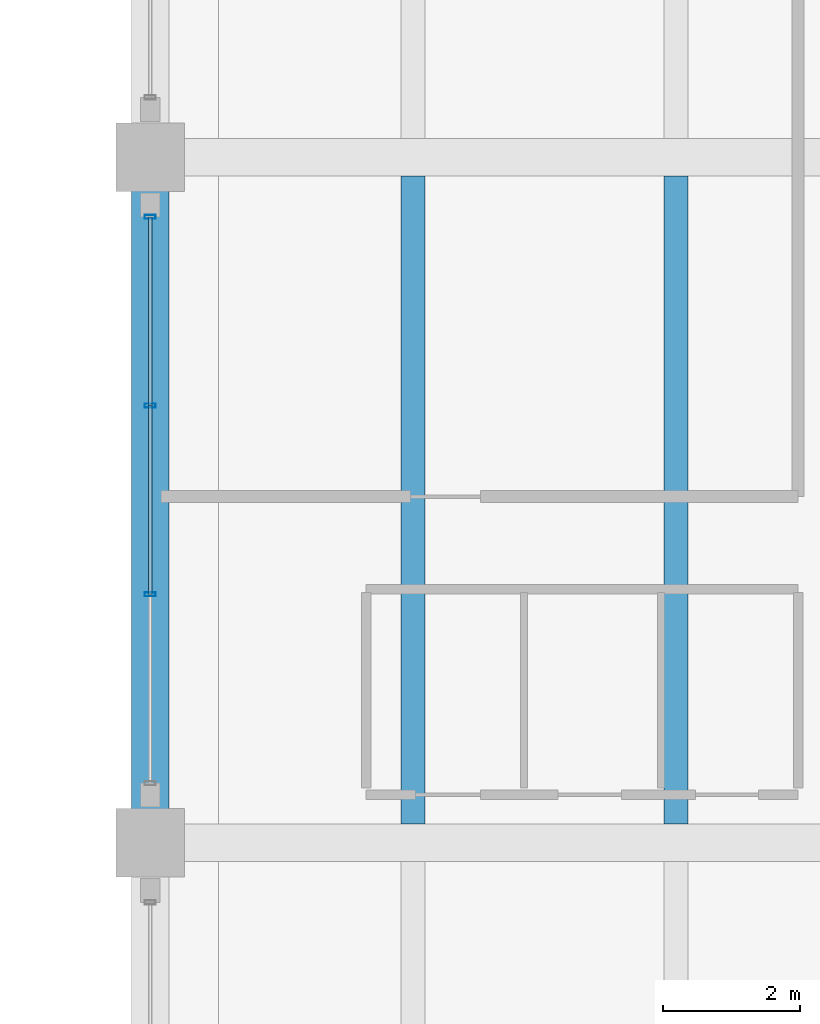
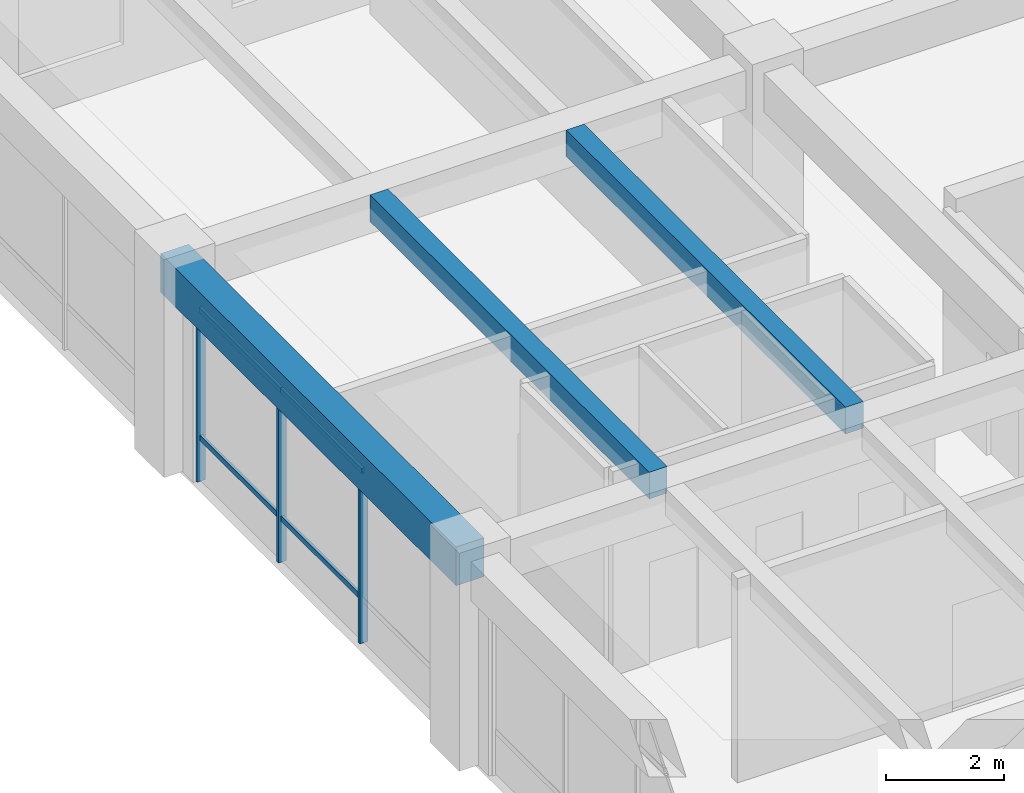
# One storey, part 88 of 154: 7 members, 3 beams, 1 element without a shape of its own.
"""IFC4 building model written with IfcOpenShell, lengths in metres."""

from ifc_helpers import new_model, si_unit, direction, frame, origin, origin_2d, place, context, subcontext, project, spatial, rectangle, hollow_rectangle, extrude, material, material_profile, profile_set, type_object, element, aggregate, save


model = new_model("IFC4")

# Units and contexts
model_context = context("Model", 3, precision=1e-05, world=origin(), true_north=direction((0.0, 1.0)))
body_context = subcontext(model_context, "Body", "Model", "MODEL_VIEW")
ifc_project = project(units=[si_unit("LENGTHUNIT", "METRE"), si_unit("AREAUNIT", "SQUARE_METRE"), si_unit("VOLUMEUNIT", "CUBIC_METRE"), si_unit("PLANEANGLEUNIT", "RADIAN"), si_unit("MASSUNIT", "GRAM", prefix="KILO")], contexts=[model_context])

# Site, building, storey
site_placement = place(None, origin())
site = spatial("IfcSite", under=ifc_project, at=site_placement, CompositionType="ELEMENT")
building_placement = place(site_placement, origin())
building = spatial("IfcBuilding", under=site, at=building_placement, Name="Ologun Quay Terminus", CompositionType="ELEMENT")
storey_placement = place(building_placement, frame((0.0, 0.0, 13.800048828125)))
storey = spatial("IfcBuildingStorey", under=building, at=storey_placement, Name="L03", CompositionType="ELEMENT", Elevation=13.800048828125)

# Curtain wall, members
ifc_material_1 = material(Name="Aluminium 6063-T6", Category="aluminium")
curtain_wall_type = type_object("IfcCurtainWallType", Name="Rain-Garden East Courtyard Curtain Wall L03 9200x4150", PredefinedType="USERDEFINED", material=ifc_material_1)
curtain_wall_placement = place(storey_placement, origin())
curtain_wall = element("IfcCurtainWall", 1, at=curtain_wall_placement, inside=storey, type_object=curtain_wall_type, Name="CW-20 Curtain Wall CW-L03-143", ObjectType="UNITISED CURTAIN WALL", PredefinedType="USERDEFINED")
ifc_material_2 = material(Name="Aluminium 6063-T6", Category="aluminium")
ifc_material_profile_1 = material_profile(ifc_material_2, hollow_rectangle(XDim=0.06005859375, YDim=0.159912109375, WallThickness=0.00390625, at=origin_2d()), Name="ALU 160x60x4")
ifc_profile_set_1 = profile_set([ifc_material_profile_1], Name="Aluminium 6063-T6")
member_type_1 = type_object("IfcMemberType", Name="Courtyard Screen Mullion 160x65", PredefinedType="MULLION", material=ifc_profile_set_1)
member_1_placement = place(storey_placement, frame((115.0, 98.42333984375, 0.0), z_axis=(0.0, 0.0, 1.0), x_axis=(0.0, 1.0, 0.0)))
member_1 = element("IfcMember", 2, at=member_1_placement, type_object=member_type_1, Name="CW-L03-143 Mullion 2", PredefinedType="MULLION", context=body_context, shape_type="SweptSolid", body=[
    extrude(hollow_rectangle(XDim=0.06005859375, YDim=0.159912109375, WallThickness=0.00390625, at=origin_2d()), origin(), (0.0, 0.0, 1.0), 4.22998046875),
])
member_2_placement = place(storey_placement, frame((115.0, 101.1767578125, 0.0), z_axis=(0.0, 0.0, 1.0), x_axis=(0.0, 1.0, 0.0)))
member_2 = element("IfcMember", 3, at=member_2_placement, type_object=member_type_1, Name="CW-L03-143 Mullion 3", PredefinedType="MULLION", context=body_context, shape_type="SweptSolid", body=[
    extrude(hollow_rectangle(XDim=0.06005859375, YDim=0.159912109375, WallThickness=0.00390625, at=origin_2d()), origin(), (0.0, 0.0, 1.0), 4.22998046875),
])
member_3_placement = place(storey_placement, frame((115.0, 103.929931640625, 0.0), z_axis=(0.0, 0.0, 1.0), x_axis=(0.0, 1.0, 0.0)))
member_3 = element("IfcMember", 4, at=member_3_placement, type_object=member_type_1, Name="CW-L03-143 Mullion 4", PredefinedType="MULLION", context=body_context, shape_type="SweptSolid", body=[
    extrude(hollow_rectangle(XDim=0.06005859375, YDim=0.159912109375, WallThickness=0.00390625, at=origin_2d()), origin(), (0.0, 0.0, 1.0), 4.22998046875),
])
ifc_material_3 = material(Name="Aluminium 6063-T6", Category="aluminium")
ifc_material_profile_2 = material_profile(ifc_material_3, hollow_rectangle(XDim=0.054931640625, YDim=0.110107421875, WallThickness=0.00390625, at=origin_2d()), Name="ALU 110x55x4")
ifc_profile_set_2 = profile_set([ifc_material_profile_2], Name="Aluminium 6063-T6")
member_type_2 = type_object("IfcMemberType", Name="Courtyard Screen Transom 110x55", PredefinedType="USERDEFINED", material=ifc_profile_set_2)
member_4_placement = place(storey_placement, frame((115.0, 98.42333984375, 0.89990234375), z_axis=(0.0, 1.0, 0.0), x_axis=(-1.0, 0.0, 0.0)))
member_4 = element("IfcMember", 5, at=member_4_placement, type_object=member_type_2, Name="CW-L03-143 Transom B2-1", ObjectType="TRANSOM", PredefinedType="USERDEFINED", context=body_context, shape_type="SweptSolid", body=[
    extrude(hollow_rectangle(XDim=0.054931640625, YDim=0.110107421875, WallThickness=0.00390625, at=origin_2d()), origin(), (0.0, 0.0, 1.0), 2.75341796875),
])
member_5_placement = place(storey_placement, frame((115.0, 98.42333984375, 3.530029296875), z_axis=(0.0, 1.0, 0.0), x_axis=(-1.0, 0.0, 0.0)))
member_5 = element("IfcMember", 6, at=member_5_placement, type_object=member_type_2, Name="CW-L03-143 Transom B2-2", ObjectType="TRANSOM", PredefinedType="USERDEFINED", context=body_context, shape_type="SweptSolid", body=[
    extrude(hollow_rectangle(XDim=0.054931640625, YDim=0.110107421875, WallThickness=0.00390625, at=origin_2d()), origin(), (0.0, 0.0, 1.0), 2.75341796875),
])
member_6_placement = place(storey_placement, frame((115.0, 101.1767578125, 0.89990234375), z_axis=(0.0, 1.0, 0.0), x_axis=(-1.0, 0.0, 0.0)))
member_6 = element("IfcMember", 7, at=member_6_placement, type_object=member_type_2, Name="CW-L03-143 Transom B3-1", ObjectType="TRANSOM", PredefinedType="USERDEFINED", context=body_context, shape_type="SweptSolid", body=[
    extrude(hollow_rectangle(XDim=0.054931640625, YDim=0.110107421875, WallThickness=0.00390625, at=origin_2d()), origin(), (0.0, 0.0, 1.0), 2.753173828125),
])
member_7_placement = place(storey_placement, frame((115.0, 101.1767578125, 3.530029296875), z_axis=(0.0, 1.0, 0.0), x_axis=(-1.0, 0.0, 0.0)))
member_7 = element("IfcMember", 8, at=member_7_placement, type_object=member_type_2, Name="CW-L03-143 Transom B3-2", ObjectType="TRANSOM", PredefinedType="USERDEFINED", context=body_context, shape_type="SweptSolid", body=[
    extrude(hollow_rectangle(XDim=0.054931640625, YDim=0.110107421875, WallThickness=0.00390625, at=origin_2d()), origin(), (0.0, 0.0, 1.0), 2.753173828125),
])
aggregate(curtain_wall, [member_1, member_2, member_3, member_4, member_5, member_6, member_7])

# Beams
ifc_material_4 = material(Name="Concrete C40/50", Category="concrete")
ifc_material_profile_3 = material_profile(ifc_material_4, rectangle(XDim=0.550048828125, YDim=0.800048828125, at=origin_2d()), Name="RC 550x800")
ifc_profile_set_3 = profile_set([ifc_material_profile_3], Name="Concrete C40/50")
beam_type_1 = type_object("IfcBeamType", Name="Courtyard Wing Primary Girder 550x800", PredefinedType="BEAM", material=ifc_profile_set_3)
beam_placement = place(storey_placement, frame((115.0, 94.800048828125, 3.849853515625), z_axis=(0.0, 1.0, 0.0), x_axis=(-1.0, 0.0, 0.0)))
element("IfcBeam", 9, at=beam_placement, inside=storey, type_object=beam_type_1, Name="B4 Beam 11/H L03", PredefinedType="BEAM", context=body_context, shape_type="SweptSolid", body=[
    extrude(rectangle(XDim=0.550048828125, YDim=0.800048828125, at=origin_2d()), origin(), (0.0, 0.0, 1.0), 10.0),
])
ifc_material_5 = material(Name="Concrete C40/50", Category="concrete")
ifc_material_profile_4 = material_profile(ifc_material_5, rectangle(XDim=0.35009765625, YDim=0.550048828125, at=origin_2d()), Name="RC 350x550")
ifc_profile_set_4 = profile_set([ifc_material_profile_4], Name="Concrete C40/50")
beam_type_2 = type_object("IfcBeamType", Name="Courtyard Wing Secondary Joist 350x550", PredefinedType="JOIST", material=ifc_profile_set_4)
for number, where, z_axis, x_axis, name in (
    (10, (118.833251953125, 95.074951171875, 3.974853515625), (0.0, 1.0, 0.0), (-1.0, 0.0, 0.0), "J2 Beam 11/H L03"),
    (11, (122.666748046875, 95.074951171875, 3.974853515625), (0.0, 1.0, 0.0), (-1.0, 0.0, 0.0), "J2 Beam 11/H L03"),
):
    element("IfcBeam", number, at=place(storey_placement, frame(where, z_axis=z_axis, x_axis=x_axis)), inside=storey, type_object=beam_type_2, Name=name, PredefinedType="JOIST", context=body_context, shape_type="SweptSolid", body=[
        extrude(rectangle(XDim=0.35009765625, YDim=0.550048828125, at=origin_2d()), origin(), (0.0, 0.0, 1.0), 9.449951171875),
    ])

save(model, "model.ifc")
